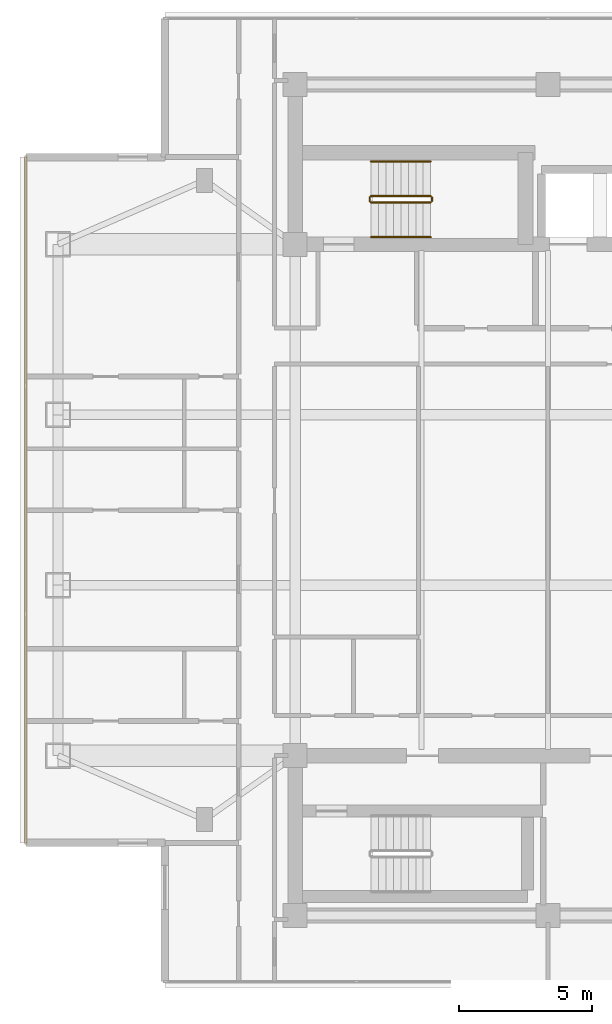
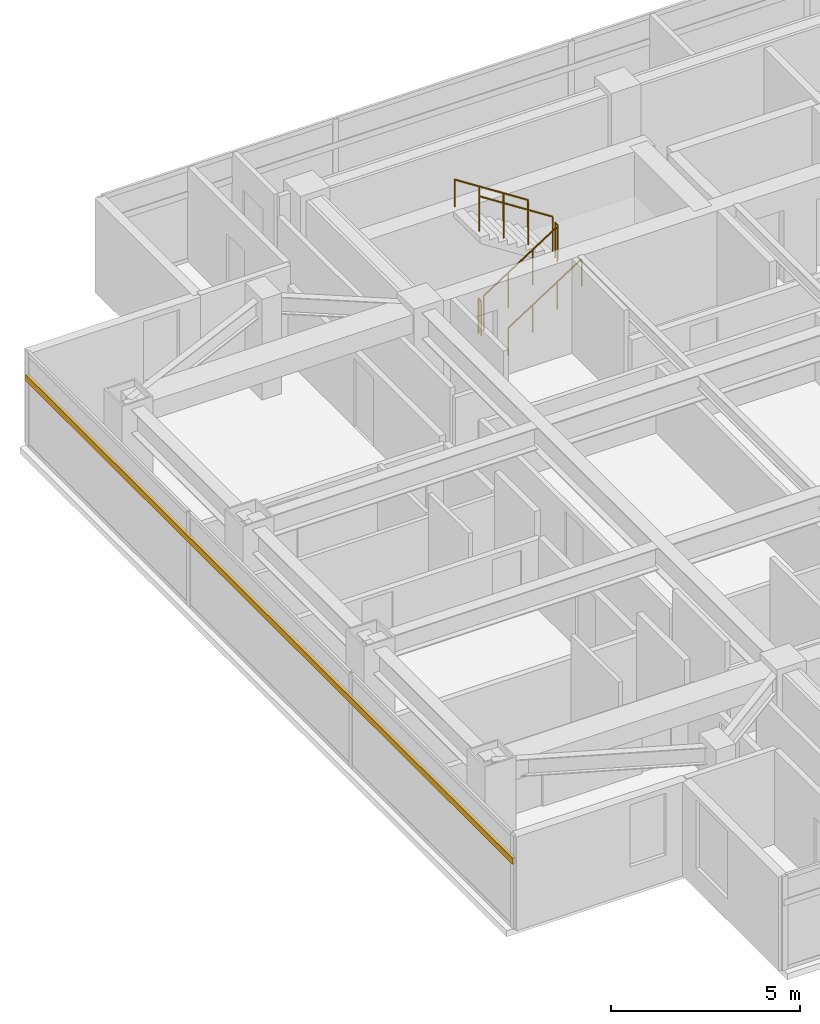
# One storey, part 21 of 24: 6 railings, 1 shading device.
"""IFC4 building model written with IfcOpenShell, lengths in metres."""

from ifc_helpers import new_model, si_unit, direction, frame, origin, origin_2d, place, context, subcontext, project, spatial, rectangle, circle, extrude, material, material_profile, profile_set, type_object, element, save


model = new_model("IFC4")

# Units and contexts
model_context = context("Model", 3, precision=1e-05, world=origin(), true_north=direction((0.0, 1.0)))
body_context = subcontext(model_context, "Body", "Model", "MODEL_VIEW")
ifc_project = project(units=[si_unit("LENGTHUNIT", "METRE"), si_unit("AREAUNIT", "SQUARE_METRE"), si_unit("VOLUMEUNIT", "CUBIC_METRE"), si_unit("PLANEANGLEUNIT", "RADIAN"), si_unit("MASSUNIT", "GRAM", prefix="KILO")], contexts=[model_context])

# Site, building, storey
site_placement = place(None, origin())
site = spatial("IfcSite", under=ifc_project, at=site_placement, CompositionType="ELEMENT")
building_placement = place(site_placement, origin())
building = spatial("IfcBuilding", under=site, at=building_placement, Name="Mirazonda Arch Towers", CompositionType="ELEMENT")
storey_placement = place(building_placement, frame((0.0, 0.0, 186.89990234375)))
storey = spatial("IfcBuildingStorey", under=building, at=storey_placement, Name="L53", CompositionType="ELEMENT", Elevation=186.89990234375)

# Shading device
ifc_material_1 = material(Name="Kiln-Fired Architectural Terracotta", Category="masonry")
ifc_material_profile = material_profile(ifc_material_1, rectangle(XDim=0.10009765625, YDim=0.199951171875, at=origin_2d()), Name="TERRA-BAG-100x200")
ifc_profile_set = profile_set([ifc_material_profile], Name="Kiln-Fired Architectural Terracotta")
shading_device_type = type_object("IfcShadingDeviceType", Name="BAGUETTE-2", PredefinedType="USERDEFINED", material=ifc_profile_set)
shading_device_placement = place(storey_placement, frame((0.889892578125, 40.873046875, 2.181640625), z_axis=(0.0, -1.0, 0.0), x_axis=(1.0, 0.0, 0.0)))
element("IfcShadingDevice", 1, at=shading_device_placement, inside=storey, type_object=shading_device_type, Name="L53 Glazed Terracotta Sun-Screen Baguette CW-L53-T1-W", ObjectType="BAGUETTE", PredefinedType="USERDEFINED", context=body_context, shape_type="SweptSolid", body=[
    extrude(rectangle(XDim=0.10009765625, YDim=0.199951171875, at=origin_2d()), origin(), (0.0, 0.0, 1.0), 25.74609375),
])

# Railings
ifc_material_2 = material(Name="Architectural Brushed Steel S355", Category="steel")
railing_type_1 = type_object("IfcRailingType", Name="GUARD-STAIR-1120", PredefinedType="GUARDRAIL", material=ifc_material_2)
railing_1_placement = place(storey_placement, frame((13.85009765625, 39.169921875, 0.1806640625)))
element("IfcRailing", 2, at=railing_1_placement, inside=storey, type_object=railing_type_1, Name="L53 ST-T1N stair guard 1", PredefinedType="GUARDRAIL", context=body_context, shape_type="SweptSolid", body=[
    extrude(circle(Radius=0.02392578125, at=origin_2d()), frame((0.0, 0.0, 1.1259765625), z_axis=(0.840436612492, 0.0, 0.541909863706), x_axis=(0.0, 1.0, 0.0)), (0.0, 0.0, 1.0), 2.665283203125),
    extrude(circle(Radius=0.02099609375, at=origin_2d()), origin(), (0.0, 0.0, 1.0), 1.101806640625),
    extrude(circle(Radius=0.02099609375, at=origin_2d()), frame((0.74658203125, 0.0, 0.4814453125)), (0.0, 0.0, 1.0), 1.101806640625),
    extrude(circle(Radius=0.02099609375, at=origin_2d()), frame((1.493408203125, 0.0, 0.962890625)), (0.0, 0.0, 1.0), 1.101806640625),
    extrude(circle(Radius=0.02099609375, at=origin_2d()), frame((2.239990234375, 0.0, 1.4443359375)), (0.0, 0.0, 1.0), 1.101806640625),
])
railing_2_placement = place(storey_placement, frame((16.139892578125, 39.219970703125, 1.625)))
element("IfcRailing", 3, at=railing_2_placement, inside=storey, type_object=railing_type_1, Name="L53 ST-T1N stair guard 2", PredefinedType="GUARDRAIL", context=body_context, shape_type="SweptSolid", body=[
    extrude(circle(Radius=0.02392578125, at=origin_2d()), frame((0.0, 0.0, 1.1259765625), z_axis=(0.0, 1.0, 0.0), x_axis=(-1.0, 0.0, 0.0)), (0.0, 0.0, 1.0), 0.14013671875),
    extrude(circle(Radius=0.02099609375, at=origin_2d()), origin(), (0.0, 0.0, 1.0), 1.101806640625),
    extrude(circle(Radius=0.02099609375, at=origin_2d()), frame((0.0, 0.14013671875, 0.0)), (0.0, 0.0, 1.0), 1.101806640625),
])
railing_3_placement = place(storey_placement, frame((16.090087890625, 39.409912109375, 1.8056640625)))
element("IfcRailing", 4, at=railing_3_placement, inside=storey, type_object=railing_type_1, Name="L53 ST-T1N stair guard 3", PredefinedType="GUARDRAIL", context=body_context, shape_type="SweptSolid", body=[
    extrude(circle(Radius=0.02392578125, at=origin_2d()), frame((0.0, 0.0, 1.1259765625), z_axis=(-0.840436612492, 0.0, 0.541909863706), x_axis=(0.0, -1.0, 0.0)), (0.0, 0.0, 1.0), 2.665283203125),
    extrude(circle(Radius=0.02099609375, at=origin_2d()), origin(), (0.0, 0.0, 1.0), 1.101806640625),
    extrude(circle(Radius=0.02099609375, at=origin_2d()), frame((-0.74658203125, 0.0, 0.4814453125)), (0.0, 0.0, 1.0), 1.101806640625),
    extrude(circle(Radius=0.02099609375, at=origin_2d()), frame((-1.493408203125, 0.0, 0.962890625)), (0.0, 0.0, 1.0), 1.101806640625),
    extrude(circle(Radius=0.02099609375, at=origin_2d()), frame((-2.239990234375, 0.0, 1.4443359375)), (0.0, 0.0, 1.0), 1.101806640625),
])
railing_4_placement = place(storey_placement, frame((13.800048828125, 39.219970703125, 0.0)))
element("IfcRailing", 5, at=railing_4_placement, inside=storey, type_object=railing_type_1, Name="L53 ST-T1N stair guard 4", PredefinedType="GUARDRAIL", context=body_context, shape_type="SweptSolid", body=[
    extrude(circle(Radius=0.02392578125, at=origin_2d()), frame((0.0, 0.0, 1.1259765625), z_axis=(0.0, 1.0, 0.0), x_axis=(-1.0, 0.0, 0.0)), (0.0, 0.0, 1.0), 0.14013671875),
    extrude(circle(Radius=0.02099609375, at=origin_2d()), origin(), (0.0, 0.0, 1.0), 1.101806640625),
    extrude(circle(Radius=0.02099609375, at=origin_2d()), frame((0.0, 0.14013671875, 0.0)), (0.0, 0.0, 1.0), 1.101806640625),
])
railing_type_2 = type_object("IfcRailingType", Name="HANDRAIL-915", PredefinedType="HANDRAIL", material=ifc_material_2)
railing_5_placement = place(storey_placement, frame((13.85009765625, 37.8701171875, 0.1806640625)))
element("IfcRailing", 6, at=railing_5_placement, inside=storey, type_object=railing_type_2, Name="L53 ST-T1N stair handrail 1", PredefinedType="HANDRAIL", context=body_context, shape_type="SweptSolid", body=[
    extrude(circle(Radius=0.02392578125, at=origin_2d()), frame((0.0, 0.0, 0.8759765625), z_axis=(0.840436612492, 0.0, 0.541909863706), x_axis=(0.0, 1.0, 0.0)), (0.0, 0.0, 1.0), 2.665283203125),
    extrude(circle(Radius=0.02099609375, at=origin_2d()), origin(), (0.0, 0.0, 1.0), 0.851806640625),
    extrude(circle(Radius=0.02099609375, at=origin_2d()), frame((0.74658203125, 0.0, 0.4814453125)), (0.0, 0.0, 1.0), 0.851806640625),
    extrude(circle(Radius=0.02099609375, at=origin_2d()), frame((1.493408203125, 0.0, 0.962890625)), (0.0, 0.0, 1.0), 0.851806640625),
    extrude(circle(Radius=0.02099609375, at=origin_2d()), frame((2.239990234375, 0.0, 1.4443359375)), (0.0, 0.0, 1.0), 0.851806640625),
])
railing_6_placement = place(storey_placement, frame((16.090087890625, 40.7099609375, 1.8056640625)))
element("IfcRailing", 7, at=railing_6_placement, inside=storey, type_object=railing_type_2, Name="L53 ST-T1N stair handrail 2", PredefinedType="HANDRAIL", context=body_context, shape_type="SweptSolid", body=[
    extrude(circle(Radius=0.02392578125, at=origin_2d()), frame((0.0, 0.0, 0.8759765625), z_axis=(-0.840436612492, 0.0, 0.541909863706), x_axis=(0.0, -1.0, 0.0)), (0.0, 0.0, 1.0), 2.665283203125),
    extrude(circle(Radius=0.02099609375, at=origin_2d()), origin(), (0.0, 0.0, 1.0), 0.851806640625),
    extrude(circle(Radius=0.02099609375, at=origin_2d()), frame((-0.74658203125, 0.0, 0.4814453125)), (0.0, 0.0, 1.0), 0.851806640625),
    extrude(circle(Radius=0.02099609375, at=origin_2d()), frame((-1.493408203125, 0.0, 0.962890625)), (0.0, 0.0, 1.0), 0.851806640625),
    extrude(circle(Radius=0.02099609375, at=origin_2d()), frame((-2.239990234375, 0.0, 1.4443359375)), (0.0, 0.0, 1.0), 0.851806640625),
])

save(model, "model.ifc")
